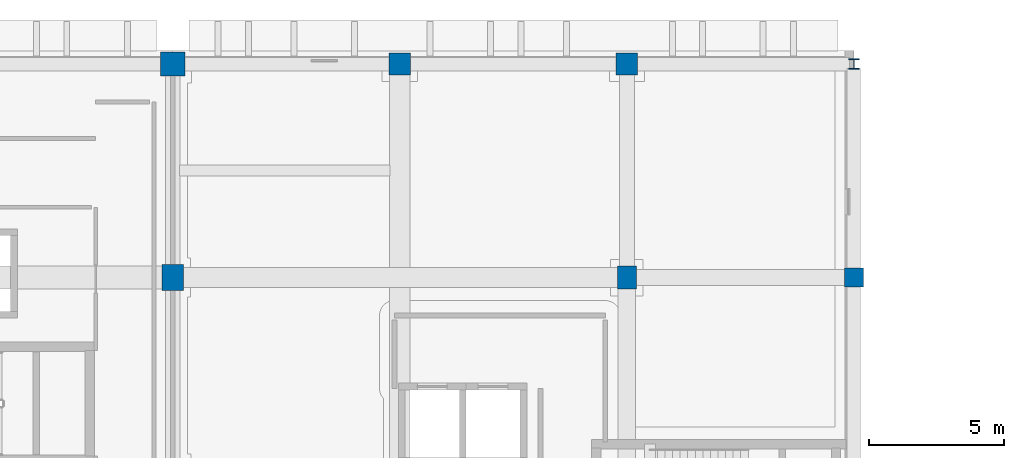
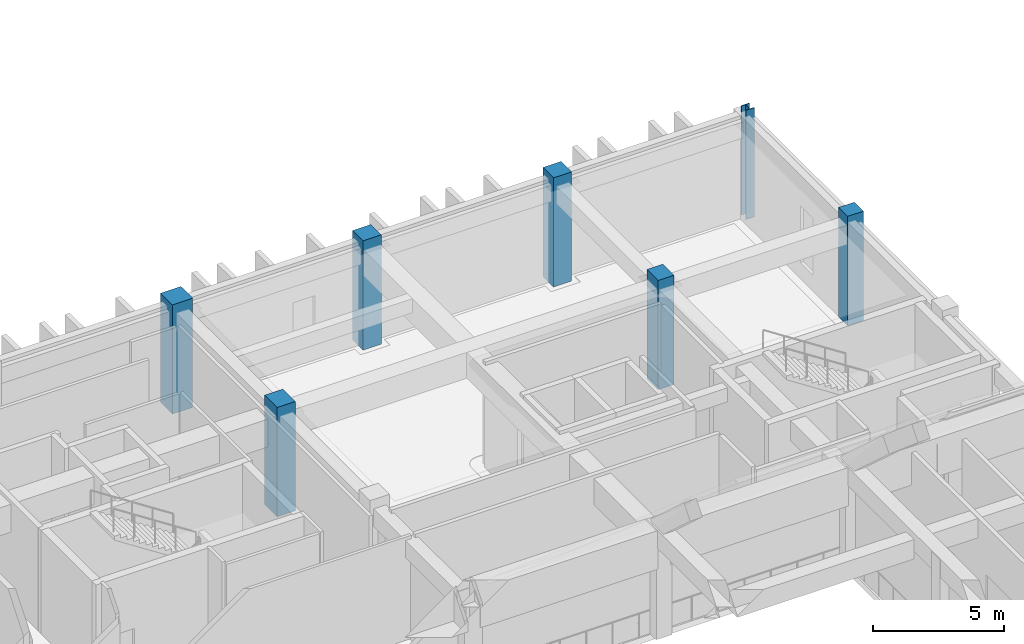
# One storey, part 10 of 103: 7 columns.
"""IFC4 building model written with IfcOpenShell, lengths in metres."""

from ifc_helpers import new_model, si_unit, direction, frame, origin, origin_2d, place, context, subcontext, project, spatial, rectangle, i_section, extrude, material, material_profile, profile_set, type_object, element, save


model = new_model("IFC4")

# Units and contexts
model_context = context("Model", 3, precision=1e-05, world=origin(), true_north=direction((0.0, 1.0)))
body_context = subcontext(model_context, "Body", "Model", "MODEL_VIEW")
ifc_project = project(units=[si_unit("LENGTHUNIT", "METRE"), si_unit("AREAUNIT", "SQUARE_METRE"), si_unit("VOLUMEUNIT", "CUBIC_METRE"), si_unit("PLANEANGLEUNIT", "RADIAN"), si_unit("MASSUNIT", "GRAM", prefix="KILO")], contexts=[model_context])

# Site, building, storey
site_placement = place(None, origin())
site = spatial("IfcSite", under=ifc_project, at=site_placement, CompositionType="ELEMENT")
building_placement = place(site_placement, origin())
building = spatial("IfcBuilding", under=site, at=building_placement, Name="Quendrovan Civic Courthouse", CompositionType="ELEMENT")
storey_placement = place(building_placement, frame((0.0, 0.0, 15.300048828125)))
storey = spatial("IfcBuildingStorey", under=building, at=storey_placement, Name="L04", CompositionType="ELEMENT", Elevation=15.300048828125)

# Columns
ifc_material_1 = material(Name="Concrete C40/50", Category="concrete")
ifc_material_profile_1 = material_profile(ifc_material_1, rectangle(XDim=0.699951171875, YDim=0.85009765625, at=origin_2d()), Name="RC-COL-700x850")
ifc_profile_set_1 = profile_set([ifc_material_profile_1], Name="Concrete C40/50")
column_type_1 = type_object("IfcColumnType", Name="COL-RC-700x850", PredefinedType="COLUMN", material=ifc_profile_set_1)
column_1_placement = place(storey_placement, frame((84.0, 102.0, 0.0), z_axis=(0.0, 0.0, 1.0), x_axis=(1.0, 0.0, 0.0)))
element("IfcColumn", 1, at=column_1_placement, inside=storey, type_object=column_type_1, Name="L04 Column 11-P", PredefinedType="COLUMN", context=body_context, shape_type="SweptSolid", body=[
    extrude(rectangle(XDim=0.699951171875, YDim=0.85009765625, at=origin_2d()), origin(), (0.0, 0.0, 1.0), 5.099853515625),
])
ifc_material_2 = material(Name="Concrete C45/55", Category="concrete")
ifc_material_profile_2 = material_profile(ifc_material_2, rectangle(XDim=0.800048828125, YDim=0.949951171875, at=origin_2d()), Name="RC-COL-800x950")
ifc_profile_set_2 = profile_set([ifc_material_profile_2], Name="Concrete C45/55")
column_type_2 = type_object("IfcColumnType", Name="COL-RC-800x950", PredefinedType="COLUMN", material=ifc_profile_set_2)
column_2_placement = place(storey_placement, frame((67.199951171875, 102.0, 0.0), z_axis=(0.0, 0.0, 1.0), x_axis=(1.0, 0.0, 0.0)))
element("IfcColumn", 2, at=column_2_placement, inside=storey, type_object=column_type_2, Name="L04 Column 9-P", PredefinedType="COLUMN", context=body_context, shape_type="SweptSolid", body=[
    extrude(rectangle(XDim=0.800048828125, YDim=0.949951171875, at=origin_2d()), origin(), (0.0, 0.0, 1.0), 5.099853515625),
])
ifc_material_profile_3 = material_profile(ifc_material_2, rectangle(XDim=0.699951171875, YDim=0.699951171875, at=origin_2d()), Name="RC-COL-700x700")
ifc_profile_set_3 = profile_set([ifc_material_profile_3], Name="Concrete C45/55")
column_type_3 = type_object("IfcColumnType", Name="COL-RC700", PredefinedType="COLUMN", material=ifc_profile_set_3)
column_3_placement = place(storey_placement, frame((92.39990234375, 102.0, 0.0), z_axis=(0.0, 0.0, 1.0), x_axis=(1.0, 0.0, 0.0)))
element("IfcColumn", 3, at=column_3_placement, inside=storey, type_object=column_type_3, Name="L04 Column 12-P", PredefinedType="COLUMN", context=body_context, shape_type="SweptSolid", body=[
    extrude(rectangle(XDim=0.699951171875, YDim=0.699951171875, at=origin_2d()), origin(), (0.0, 0.0, 1.0), 5.099853515625),
])
ifc_material_profile_4 = material_profile(ifc_material_2, rectangle(XDim=0.800048828125, YDim=0.800048828125, at=origin_2d()), Name="RC-COL-800x800")
ifc_profile_set_4 = profile_set([ifc_material_profile_4], Name="Concrete C45/55")
column_type_4 = type_object("IfcColumnType", Name="COL-RC800", PredefinedType="COLUMN", material=ifc_profile_set_4)
for number, where, z_axis, x_axis, name in (
    (4, (75.60009765625, 109.89990234375, 0.0), (0.0, 0.0, 1.0), (1.0, 0.0, 0.0), "L04 Column 10-Q"),
    (5, (84.0, 109.89990234375, 0.0), (0.0, 0.0, 1.0), (1.0, 0.0, 0.0), "L04 Column 11-Q"),
):
    element("IfcColumn", number, at=place(storey_placement, frame(where, z_axis=z_axis, x_axis=x_axis)), inside=storey, type_object=column_type_4, Name=name, PredefinedType="COLUMN", context=body_context, shape_type="SweptSolid", body=[
        extrude(rectangle(XDim=0.800048828125, YDim=0.800048828125, at=origin_2d()), origin(), (0.0, 0.0, 1.0), 5.099853515625),
    ])
ifc_material_profile_5 = material_profile(ifc_material_2, rectangle(XDim=0.89990234375, YDim=0.89990234375, at=origin_2d()), Name="RC-COL-900x900")
ifc_profile_set_5 = profile_set([ifc_material_profile_5], Name="Concrete C45/55")
column_type_5 = type_object("IfcColumnType", Name="COL-RC900", PredefinedType="COLUMN", material=ifc_profile_set_5)
column_4_placement = place(storey_placement, frame((67.199951171875, 109.89990234375, 0.0), z_axis=(0.0, 0.0, 1.0), x_axis=(1.0, 0.0, 0.0)))
element("IfcColumn", 6, at=column_4_placement, inside=storey, type_object=column_type_5, Name="L04 Column 9-Q", PredefinedType="COLUMN", context=body_context, shape_type="SweptSolid", body=[
    extrude(rectangle(XDim=0.89990234375, YDim=0.89990234375, at=origin_2d()), origin(), (0.0, 0.0, 1.0), 5.099853515625),
])
ifc_material_3 = material(Name="Steel ASTM A992 Grade 50", Category="steel")
ifc_material_profile_6 = material_profile(ifc_material_3, i_section(OverallWidth=0.3740234375, OverallDepth=0.3720703125, WebThickness=0.016357421875, FlangeThickness=0.026123046875, at=origin_2d()), Name="W14X132")
ifc_profile_set_6 = profile_set([ifc_material_profile_6], Name="Steel ASTM A992 Grade 50")
column_type_6 = type_object("IfcColumnType", Name="COL-STL-W14X132", PredefinedType="COLUMN", material=ifc_profile_set_6)
column_5_placement = place(storey_placement, frame((92.39990234375, 109.89990234375, 0.0), z_axis=(0.0, 0.0, 1.0), x_axis=(1.0, 0.0, 0.0)))
element("IfcColumn", 7, at=column_5_placement, inside=storey, type_object=column_type_6, Name="L04 Column 12-Q", PredefinedType="COLUMN", context=body_context, shape_type="SweptSolid", body=[
    extrude(i_section(OverallWidth=0.3740234375, OverallDepth=0.3720703125, WebThickness=0.016357421875, FlangeThickness=0.026123046875, at=origin_2d()), origin(), (0.0, 0.0, 1.0), 5.099853515625),
])

save(model, "model.ifc")
